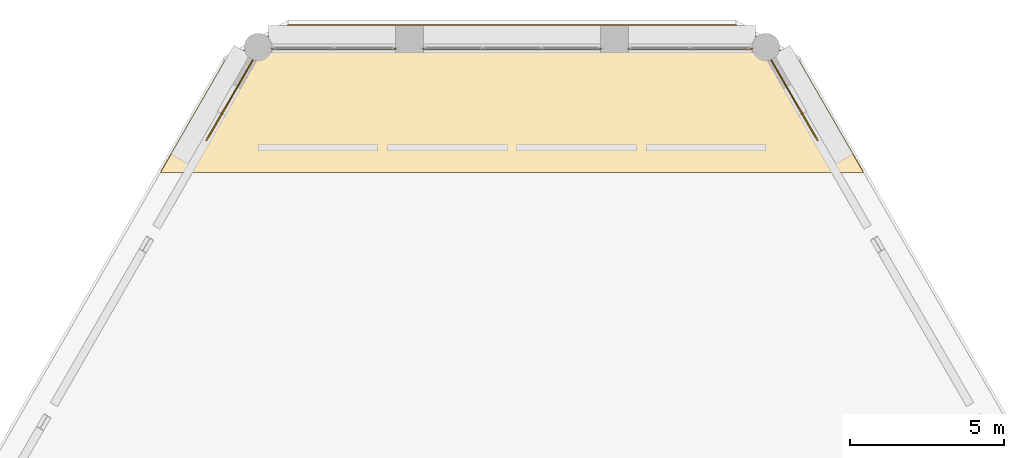
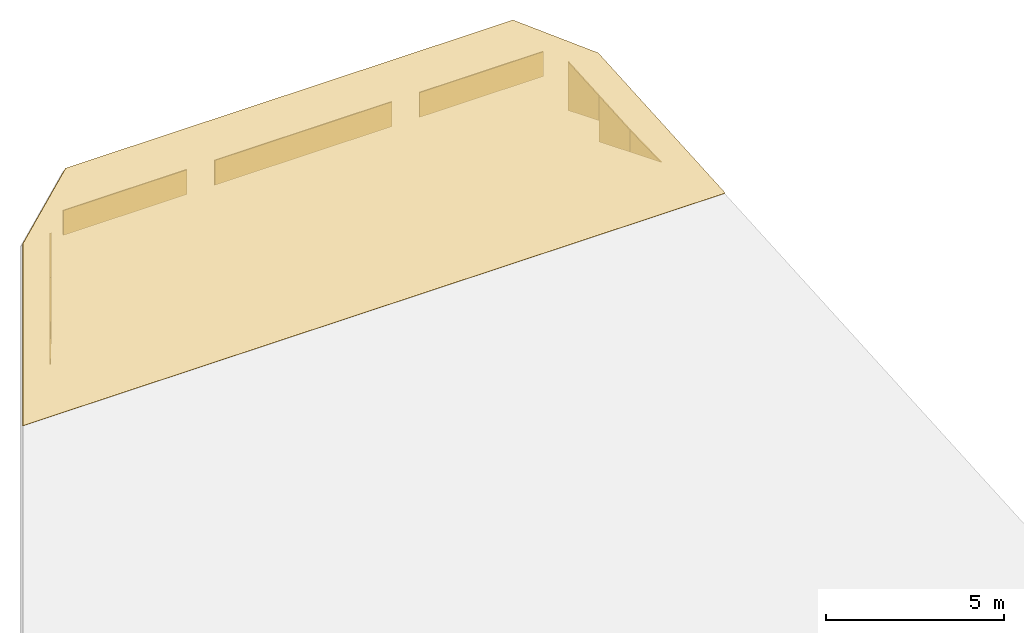
# One storey, part 7 of 7: 10 coverings.
"""IFC4 building model written with IfcOpenShell, lengths in metres."""

from ifc_helpers import new_model, si_unit, direction, frame, origin, place, context, subcontext, project, spatial, polyline, outline, extrude, material, layer, layer_set, type_object, element, save


model = new_model("IFC4")

# Units and contexts
model_context = context("Model", 3, precision=1e-05, world=origin(), true_north=direction((0.0, 1.0)))
body_context = subcontext(model_context, "Body", "Model", "MODEL_VIEW")
ifc_project = project(units=[si_unit("LENGTHUNIT", "METRE"), si_unit("AREAUNIT", "SQUARE_METRE"), si_unit("VOLUMEUNIT", "CUBIC_METRE"), si_unit("PLANEANGLEUNIT", "RADIAN"), si_unit("MASSUNIT", "GRAM", prefix="KILO")], contexts=[model_context])

# Site, building, storey
site_placement = place(None, origin())
site = spatial("IfcSite", under=ifc_project, at=site_placement, CompositionType="ELEMENT")
building_placement = place(site_placement, origin())
building = spatial("IfcBuilding", under=site, at=building_placement, Name="Ostrander Bayou Hotel Tower", CompositionType="ELEMENT")
storey_placement = place(building_placement, frame((0.0, 0.0, 302.0)))
storey = spatial("IfcBuildingStorey", under=building, at=storey_placement, Name="Roof 74", CompositionType="ELEMENT", Elevation=302.0)

# Coverings
ifc_material = material(Name="Reconstituted stone panels", Category="masonry")
ifc_layer = layer(ifc_material, 0.0400390625)
ifc_layer_set = layer_set([ifc_layer], Name="CV3 crown cladding 40 mm")
covering_type = type_object("IfcCoveringType", Name="CV3 crown cladding 40 mm", PredefinedType="CLADDING", material=ifc_layer_set)
covering_1_placement = place(storey_placement, frame((-7.26708984375, 17.300048828125, 4.5400390625), z_axis=(0.0, -0.685640756788, 0.72794007489), x_axis=(1.0, 0.0, 0.0)))
element("IfcCovering", 1, at=covering_1_placement, inside=storey, type_object=covering_type, Name="CV3 crown cladding L74", PredefinedType="CLADDING", context=body_context, shape_type="SweptSolid", body=[
    extrude(outline(polyline([(0.0, 0.0), (14.5341796875, 0.0), (16.61279296875, -1.6485210380893238), (18.67822265625, -6.56318109244217), (-4.14404296875, -6.56318109244217), (-2.07861328125, -1.6485210380893238), (0.0, 0.0)])), origin(), (0.0, 0.0, -1.0), 0.0400390625),
])
covering_2_placement = place(storey_placement, frame((7.7958984375, 16.550048828125, 2.8935546875), z_axis=(0.0, 1.0, 0.0), x_axis=(-1.0, 0.0, 0.0)))
element("IfcCovering", 2, at=covering_2_placement, inside=storey, type_object=covering_type, Name="CV3 crown fascia L74", PredefinedType="CLADDING", context=body_context, shape_type="SweptSolid", body=[
    extrude(outline(polyline([(0.0, 0.0), (4.0166015625, 0.0), (4.0166015625, 0.85009765625), (0.0, 0.85009765625), (0.0, 0.0)])), origin(), (0.0, 0.0, -1.0), 0.0400390625),
])
covering_3_placement = place(storey_placement, frame((2.87939453125, 16.550048828125, 2.8935546875), z_axis=(0.0, 1.0, 0.0), x_axis=(-1.0, 0.0, 0.0)))
element("IfcCovering", 3, at=covering_3_placement, inside=storey, type_object=covering_type, Name="CV3 crown fascia L74", PredefinedType="CLADDING", context=body_context, shape_type="SweptSolid", body=[
    extrude(outline(polyline([(0.0, 0.0), (5.7587890625, 0.0), (5.7587890625, 0.85009765625), (0.0, 0.85009765625), (0.0, 0.0)])), origin(), (0.0, 0.0, -1.0), 0.0400390625),
])
covering_4_placement = place(storey_placement, frame((-3.779296875, 16.550048828125, 2.8935546875), z_axis=(0.0, 1.0, 0.0), x_axis=(-1.0, 0.0, 0.0)))
element("IfcCovering", 4, at=covering_4_placement, inside=storey, type_object=covering_type, Name="CV3 crown fascia L74", PredefinedType="CLADDING", context=body_context, shape_type="SweptSolid", body=[
    extrude(outline(polyline([(0.0, 0.0), (4.0166015625, 0.0), (4.0166015625, 0.85009765625), (0.0, 0.85009765625), (0.0, 0.0)])), origin(), (0.0, 0.0, -1.0), 0.0400390625),
])
covering_5_placement = place(storey_placement, frame((-8.431884765625, 16.182373046875, 1.72509765625), z_axis=(-0.865983934946, 0.500071819257, 0.0), x_axis=(-0.500071819257, -0.865983934946, 0.0)))
element("IfcCovering", 5, at=covering_5_placement, inside=storey, type_object=covering_type, Name="CV3 crown fascia L74", PredefinedType="CLADDING", context=body_context, shape_type="SweptSolid", body=[
    extrude(outline(polyline([(0.0, 0.0), (1.0081559712239996, 0.0), (1.0081559712239996, 0.849853515625), (0.0, 1.67236328125), (0.0, 0.0)])), origin(), (0.0, 0.0, -1.0), 0.0400390625),
])
covering_6_placement = place(storey_placement, frame((-8.93603515625, 15.309326171875, 1.0), z_axis=(-0.865983934946, 0.500071819257, 0.0), x_axis=(-0.500071819257, -0.865983934946, 0.0)))
element("IfcCovering", 6, at=covering_6_placement, inside=storey, type_object=covering_type, Name="CV3 crown fascia L74", PredefinedType="CLADDING", context=body_context, shape_type="SweptSolid", body=[
    extrude(outline(polyline([(0.0, 0.0), (1.0081559712239996, 0.0), (1.0081559712239996, 0.752685546875), (0.0, 1.574951171875), (0.0, 0.0)])), origin(), (0.0, 0.0, -1.0), 0.0400390625),
])
covering_7_placement = place(storey_placement, frame((-9.440185546875, 14.436279296875, 1.0), z_axis=(-0.866044474677, 0.49996696679, 0.0), x_axis=(-0.49996696679, -0.866044474677, 0.0)))
element("IfcCovering", 7, at=covering_7_placement, inside=storey, type_object=covering_type, Name="CV3 crown fascia L74", PredefinedType="CLADDING", context=body_context, shape_type="SweptSolid", body=[
    extrude(outline(polyline([(0.0, 0.0), (1.008367400473996, 0.0), (0.0, 0.752685546875), (0.0, 0.0)])), origin(), (0.0, 0.0, -1.0), 0.0400390625),
])
covering_8_placement = place(storey_placement, frame((9.9443359375, 13.56298828125, 1.0), z_axis=(0.866044474677, 0.49996696679, 0.0), x_axis=(-0.49996696679, 0.866044474677, 0.0)))
element("IfcCovering", 8, at=covering_8_placement, inside=storey, type_object=covering_type, Name="CV3 crown fascia L74", PredefinedType="CLADDING", context=body_context, shape_type="SweptSolid", body=[
    extrude(outline(polyline([(0.0, 0.0), (1.008367400473996, 0.0), (1.008367400473996, 0.752685546875), (0.0, 0.0), (0.0, 0.0)])), origin(), (0.0, 0.0, -1.0), 0.0400390625),
])
covering_9_placement = place(storey_placement, frame((9.440185546875, 14.436279296875, 1.0), z_axis=(0.865983934946, 0.500071819257, 0.0), x_axis=(-0.500071819257, 0.865983934946, 0.0)))
element("IfcCovering", 9, at=covering_9_placement, inside=storey, type_object=covering_type, Name="CV3 crown fascia L74", PredefinedType="CLADDING", context=body_context, shape_type="SweptSolid", body=[
    extrude(outline(polyline([(0.0, 0.0), (1.0081559712239996, 0.0), (1.0081559712239996, 1.574951171875), (0.0, 0.752685546875), (0.0, 0.0)])), origin(), (0.0, 0.0, -1.0), 0.0400390625),
])
covering_10_placement = place(storey_placement, frame((8.93603515625, 15.309326171875, 1.72509765625), z_axis=(0.865983934946, 0.500071819257, 0.0), x_axis=(-0.500071819257, 0.865983934946, 0.0)))
element("IfcCovering", 10, at=covering_10_placement, inside=storey, type_object=covering_type, Name="CV3 crown fascia L74", PredefinedType="CLADDING", context=body_context, shape_type="SweptSolid", body=[
    extrude(outline(polyline([(0.0, 0.0), (1.0081559712239996, 0.0), (1.0081559712239996, 1.67236328125), (0.0, 0.849853515625), (0.0, 0.0)])), origin(), (0.0, 0.0, -1.0), 0.0400390625),
])

save(model, "model.ifc")
